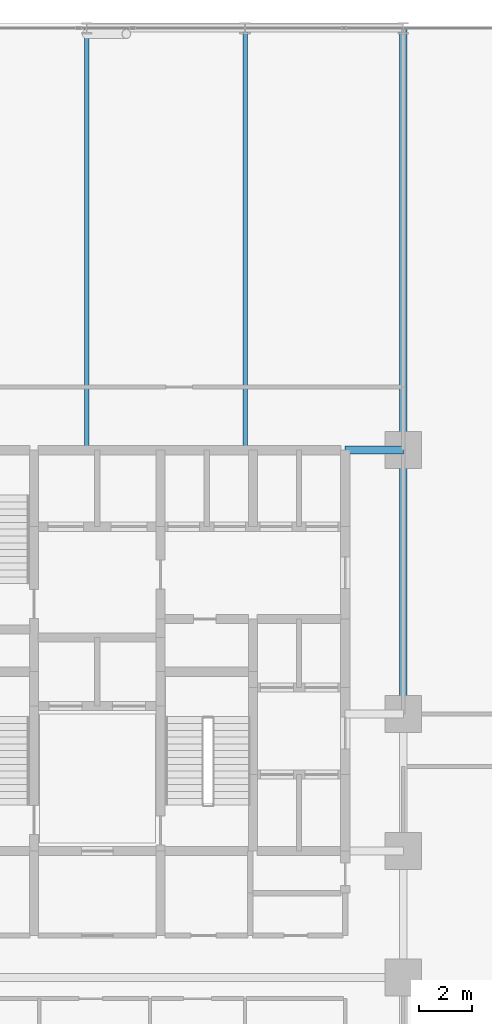
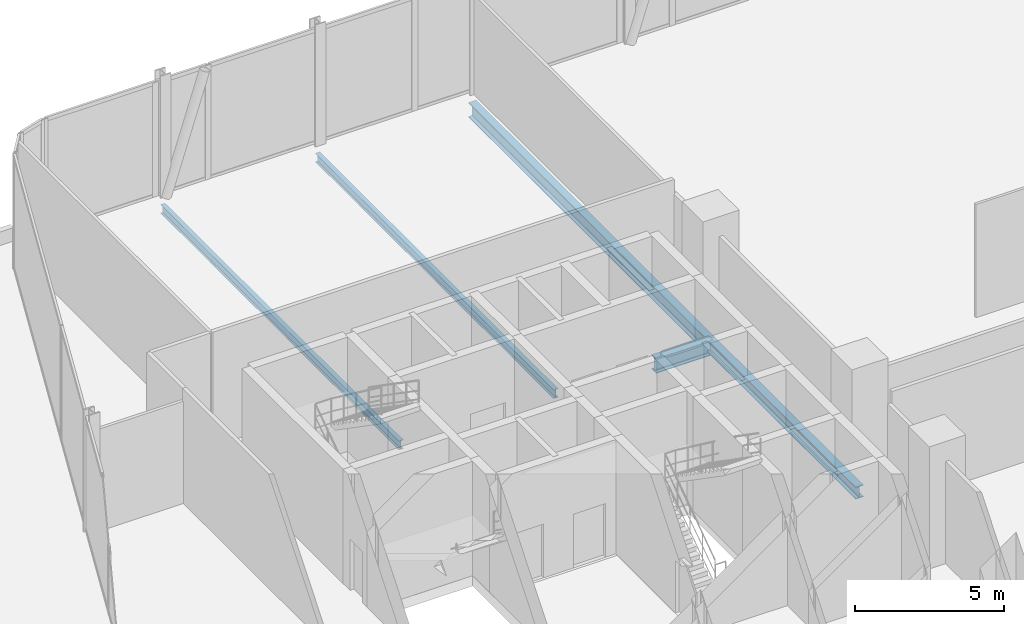
# One storey, part 10 of 29: 5 beams.
"""IFC4 building model written with IfcOpenShell, lengths in metres."""

from ifc_helpers import new_model, si_unit, direction, frame, origin, origin_2d, place, context, subcontext, project, spatial, i_section, extrude, material, material_profile, profile_set, type_object, element, save


model = new_model("IFC4")

# Units and contexts
model_context = context("Model", 3, precision=1e-05, world=origin(), true_north=direction((0.0, 1.0)))
body_context = subcontext(model_context, "Body", "Model", "MODEL_VIEW")
ifc_project = project(units=[si_unit("LENGTHUNIT", "METRE"), si_unit("AREAUNIT", "SQUARE_METRE"), si_unit("VOLUMEUNIT", "CUBIC_METRE"), si_unit("PLANEANGLEUNIT", "RADIAN"), si_unit("MASSUNIT", "GRAM", prefix="KILO")], contexts=[model_context])

# Site, building, storey
site_placement = place(None, origin())
site = spatial("IfcSite", under=ifc_project, at=site_placement, CompositionType="ELEMENT")
building_placement = place(site_placement, origin())
building = spatial("IfcBuilding", under=site, at=building_placement, Name="Keshet Zoharim Tower", CompositionType="ELEMENT")
storey_placement = place(building_placement, frame((0.0, 0.0, 19.0)))
storey = spatial("IfcBuildingStorey", under=building, at=storey_placement, Name="L03", CompositionType="ELEMENT", Elevation=19.0)

# Beams
ifc_material = material(Name="Steel S355", Category="steel")
ifc_material_profile_1 = material_profile(ifc_material, i_section(OverallWidth=0.300048828125, OverallDepth=0.60009765625, WebThickness=0.015380859375, FlangeThickness=0.030029296875, FilletRadius=0.027099609375, at=origin_2d()), Name="HEB600")
ifc_profile_set_1 = profile_set([ifc_material_profile_1], Name="Steel S355")
beam_type_1 = type_object("IfcBeamType", Name="BM-CLK-HB600", PredefinedType="BEAM", material=ifc_profile_set_1)
beam_1_placement = place(storey_placement, frame((30.800048828125, 37.89990234375, -0.719970703125), z_axis=(1.0, 0.0, 0.0), x_axis=(0.0, 1.0, 0.0)))
element("IfcBeam", 1, at=beam_1_placement, inside=storey, type_object=beam_type_1, Name="L03 Core Wall Link Girder 03", PredefinedType="BEAM", context=body_context, shape_type="SweptSolid", body=[
    extrude(i_section(OverallWidth=0.300048828125, OverallDepth=0.60009765625, WebThickness=0.015380859375, FlangeThickness=0.030029296875, FilletRadius=0.027099609375, at=origin_2d()), origin(), (0.0, 0.0, 1.0), 2.199951171875),
])
ifc_material_profile_2 = material_profile(ifc_material, i_section(OverallWidth=0.169921875, OverallDepth=0.360107421875, WebThickness=0.008056640625, FlangeThickness=0.0126953125, FilletRadius=0.01806640625, at=origin_2d()), Name="IPE360")
ifc_profile_set_2 = profile_set([ifc_material_profile_2], Name="Steel S355")
beam_type_2 = type_object("IfcBeamType", Name="BM-JST-IP360", PredefinedType="JOIST", material=ifc_profile_set_2)
for number, where, z_axis, x_axis, name in (
    (2, (21.0, 37.89990234375, -0.60009765625), (0.0, 1.0, 0.0), (-1.0, 0.0, 0.0), "L03 Secondary Floor Joist J-001"),
    (3, (27.0, 37.89990234375, -0.60009765625), (0.0, 1.0, 0.0), (-1.0, 0.0, 0.0), "L03 Secondary Floor Joist J-002"),
):
    element("IfcBeam", number, at=place(storey_placement, frame(where, z_axis=z_axis, x_axis=x_axis)), inside=storey, type_object=beam_type_2, Name=name, PredefinedType="JOIST", context=body_context, shape_type="SweptSolid", body=[
        extrude(i_section(OverallWidth=0.169921875, OverallDepth=0.360107421875, WebThickness=0.008056640625, FlangeThickness=0.0126953125, FilletRadius=0.01806640625, at=origin_2d()), origin(), (0.0, 0.0, 1.0), 16.0),
    ])
ifc_material_profile_3 = material_profile(ifc_material, i_section(OverallWidth=0.300048828125, OverallDepth=0.60009765625, WebThickness=0.015380859375, FlangeThickness=0.030029296875, FilletRadius=0.027099609375, at=origin_2d()), Name="HEB600")
ifc_profile_set_3 = profile_set([ifc_material_profile_3], Name="Steel S355")
beam_type_3 = type_object("IfcBeamType", Name="BM-LNG-HB600", PredefinedType="BEAM", material=ifc_profile_set_3)
beam_2_placement = place(storey_placement, frame((33.0, 37.89990234375, -0.719970703125), z_axis=(0.0, 1.0, 0.0), x_axis=(-1.0, 0.0, 0.0)))
element("IfcBeam", 4, at=beam_2_placement, inside=storey, type_object=beam_type_3, Name="L03 Primary Girder Y-009", PredefinedType="BEAM", context=body_context, shape_type="SweptSolid", body=[
    extrude(i_section(OverallWidth=0.300048828125, OverallDepth=0.60009765625, WebThickness=0.015380859375, FlangeThickness=0.030029296875, FilletRadius=0.027099609375, at=origin_2d()), origin(), (0.0, 0.0, 1.0), 16.0),
])
ifc_material_profile_4 = material_profile(ifc_material, i_section(OverallWidth=0.300048828125, OverallDepth=0.5, WebThickness=0.014404296875, FlangeThickness=0.028076171875, FilletRadius=0.027099609375, at=origin_2d()), Name="HEB500")
ifc_profile_set_4 = profile_set([ifc_material_profile_4], Name="Steel S355")
beam_type_4 = type_object("IfcBeamType", Name="BM-MED-HB500", PredefinedType="BEAM", material=ifc_profile_set_4)
beam_3_placement = place(storey_placement, frame((33.0, 27.89990234375, -0.669921875), z_axis=(0.0, 1.0, 0.0), x_axis=(-1.0, 0.0, 0.0)))
element("IfcBeam", 5, at=beam_3_placement, inside=storey, type_object=beam_type_4, Name="L03 Primary Girder Y-008", PredefinedType="BEAM", context=body_context, shape_type="SweptSolid", body=[
    extrude(i_section(OverallWidth=0.300048828125, OverallDepth=0.5, WebThickness=0.014404296875, FlangeThickness=0.028076171875, FilletRadius=0.027099609375, at=origin_2d()), origin(), (0.0, 0.0, 1.0), 10.0),
])

save(model, "model.ifc")
